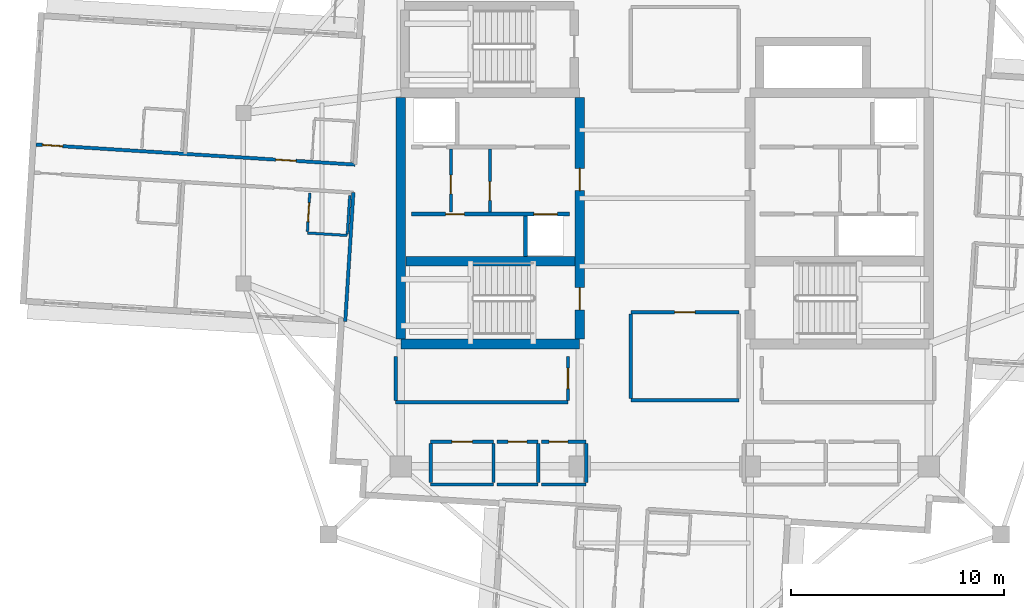
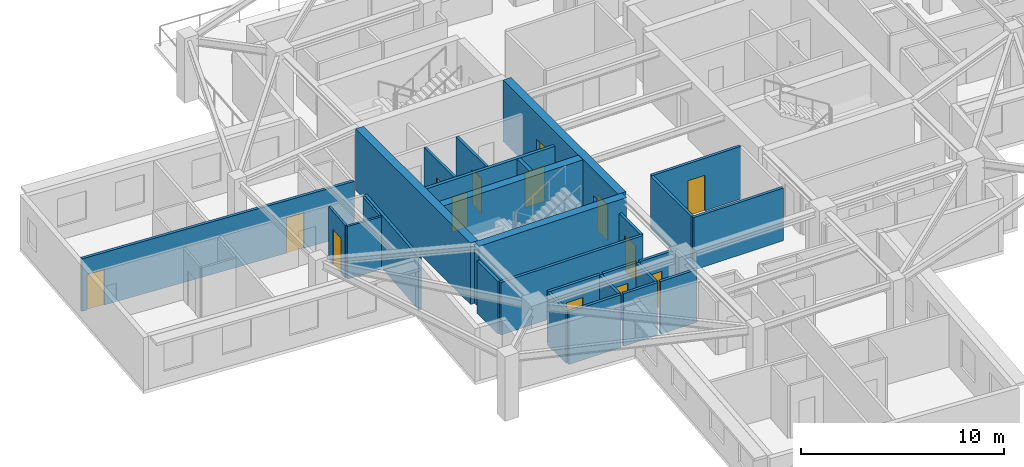
# One storey, part 4 of 12: 29 walls, 14 doors, 14 openings.
"""IFC4 building model written with IfcOpenShell, lengths in metres."""

from ifc_helpers import new_model, si_unit, direction, frame, frame_2d, origin, place, context, subcontext, project, spatial, rectangle, extrude, material, layer, layer_set, type_object, element, fill, save


model = new_model("IFC4")

# Units and contexts
model_context = context("Model", 3, precision=1e-05, world=origin(), true_north=direction((0.0, 1.0)))
body_context = subcontext(model_context, "Body", "Model", "MODEL_VIEW")
ifc_project = project(units=[si_unit("LENGTHUNIT", "METRE"), si_unit("AREAUNIT", "SQUARE_METRE"), si_unit("VOLUMEUNIT", "CUBIC_METRE"), si_unit("PLANEANGLEUNIT", "RADIAN"), si_unit("MASSUNIT", "GRAM", prefix="KILO")], contexts=[model_context])

# Site, building, storey
site_placement = place(None, origin())
site = spatial("IfcSite", under=ifc_project, at=site_placement, CompositionType="ELEMENT")
building_placement = place(site_placement, origin())
building = spatial("IfcBuilding", under=site, at=building_placement, Name="Qingluan Cross Belvedere", CompositionType="ELEMENT")
storey_placement = place(building_placement, frame((0.0, 0.0, 249.89990234375)))
storey = spatial("IfcBuildingStorey", under=building, at=storey_placement, Name="L62", CompositionType="ELEMENT", Elevation=249.89990234375)

# Walls
ifc_material_1 = material(Name="Concrete C50", Category="concrete")
ifc_layer_1 = layer(ifc_material_1, 0.449951171875, Name="CoreShearWall_450")
ifc_layer_set_1 = layer_set([ifc_layer_1], Name="Concrete C50")
wall_type_1 = type_object("IfcWallType", Name="CoreShearWall_450", PredefinedType="SHEAR", material=ifc_layer_set_1)
wall_1_placement = place(storey_placement, frame((-12.39990234375, -6.85009765625, 0.0), z_axis=(0.0, 0.0, 1.0), x_axis=(1.0, 0.0, 0.0)))
element("IfcWall", 1, at=wall_1_placement, inside=storey, type_object=wall_type_1, Name="Split core W shear wall L62-S", PredefinedType="SHEAR", context=body_context, shape_type="SweptSolid", body=[
    extrude(rectangle(XDim=8.39990234375, YDim=0.449951171875, at=frame_2d((4.199951171875, 0.0))), origin(), (0.0, 0.0, 1.0), 3.7001953125),
])
wall_2_placement = place(storey_placement, frame((-12.39990234375, -6.6201171875, 0.0), z_axis=(0.0, 0.0, 1.0), x_axis=(0.0, 1.0, 0.0)))
element("IfcWall", 2, at=wall_2_placement, inside=storey, type_object=wall_type_1, Name="Split core W shear wall L62-W", PredefinedType="SHEAR", context=body_context, shape_type="SweptSolid", body=[
    extrude(rectangle(XDim=11.340087890625, YDim=0.449951171875, at=frame_2d((5.669921875, 0.0))), origin(), (0.0, 0.0, 1.0), 3.7001953125),
])

# Wall, openings, doors
wall_3_placement = place(storey_placement, frame((-4.0, -6.6201171875, 0.0), z_axis=(0.0, 0.0, 1.0), x_axis=(0.0, 1.0, 0.0)))
wall_3 = element("IfcWall", 3, at=wall_3_placement, inside=storey, type_object=wall_type_1, Name="Split core W shear wall L62-E", PredefinedType="SHEAR", context=body_context, shape_type="SweptSolid", body=[
    extrude(rectangle(XDim=11.340087890625, YDim=0.449951171875, at=frame_2d((5.669921875, 0.0))), origin(), (0.0, 0.0, 1.0), 3.7001953125),
])
opening_1_placement = place(wall_3_placement, frame((1.3701171875, 0.0, 0.0)))
opening_1 = element("IfcOpeningElement", 4, at=opening_1_placement, cuts=wall_3, Name="Opening FD-B11", PredefinedType="OPENING", context=body_context, shape_type="SweptSolid", body=[
    extrude(rectangle(XDim=1.050048828125, YDim=2.14990234375, at=frame_2d((0.52490234375, 1.074951171875))), frame((0.0, 0.23486328125, 0.0), z_axis=(0.0, -1.0, 0.0), x_axis=(1.0, 0.0, 0.0)), (0.0, 0.0, 1.0), 0.469970703125),
])
opening_2_placement = place(wall_3_placement, frame((6.969970703125, 0.0, 0.0)))
opening_2 = element("IfcOpeningElement", 5, at=opening_2_placement, cuts=wall_3, Name="Opening FD-B11", PredefinedType="OPENING", context=body_context, shape_type="SweptSolid", body=[
    extrude(rectangle(XDim=1.050048828125, YDim=2.14990234375, at=frame_2d((0.52490234375, 1.074951171875))), frame((0.0, 0.23486328125, 0.0), z_axis=(0.0, -1.0, 0.0), x_axis=(1.0, 0.0, 0.0)), (0.0, 0.0, 1.0), 0.469970703125),
])
ifc_material_2 = material(Name="Steel Class B smoke-seal fire door", Category="steel")
door_type_1 = type_object("IfcDoorType", Name="StairLobbyFireDoor_FDB", OperationType="NOTDEFINED", PredefinedType="DOOR", material=ifc_material_2)
door_1_placement = place(opening_1_placement, origin())
door_1 = element("IfcDoor", 6, at=door_1_placement, inside=storey, type_object=door_type_1, Name="Smoke-proof stair ST1 fire door L62", OperationType="SINGLE_SWING_RIGHT", OverallHeight=2.14990234375, OverallWidth=1.050048828125, PredefinedType="DOOR", context=body_context, shape_type="SweptSolid", body=[
    extrude(rectangle(XDim=1.050048828125, YDim=2.14990234375, at=frame_2d((0.52490234375, 1.074951171875))), frame((0.0, 0.02490234375, 0.0), z_axis=(0.0, -1.0, 0.0), x_axis=(1.0, 0.0, 0.0)), (0.0, 0.0, 1.0), 0.050048828125),
])
fill(opening_1, door_1)
door_2_placement = place(opening_2_placement, origin())
door_2 = element("IfcDoor", 7, at=door_2_placement, inside=storey, type_object=door_type_1, Name="Firefighting lobby West fire door L62", OperationType="SINGLE_SWING_RIGHT", OverallHeight=2.14990234375, OverallWidth=1.050048828125, PredefinedType="DOOR", context=body_context, shape_type="SweptSolid", body=[
    extrude(rectangle(XDim=1.050048828125, YDim=2.14990234375, at=frame_2d((0.52490234375, 1.074951171875))), frame((0.0, 0.02490234375, 0.0), z_axis=(0.0, -1.0, 0.0), x_axis=(1.0, 0.0, 0.0)), (0.0, 0.0, 1.0), 0.050048828125),
])
fill(opening_2, door_2)

# Wall
wall_4_placement = place(storey_placement, frame((-12.169921875, -2.9599609375, 0.0), z_axis=(0.0, 0.0, 1.0), x_axis=(1.0, 0.0, 0.0)))
element("IfcWall", 8, at=wall_4_placement, inside=storey, type_object=wall_type_1, Name="Split core W shear wall L62-M", PredefinedType="SHEAR", context=body_context, shape_type="SweptSolid", body=[
    extrude(rectangle(XDim=7.93994140625, YDim=0.449951171875, at=frame_2d((3.969970703125, 0.0))), origin(), (0.0, 0.0, 1.0), 3.7001953125),
])

# Wall, opening, door
ifc_material_3 = material(Name="Gypsum plasterboard on steel stud acoustic partition", Category="steel")
ifc_layer_2 = layer(ifc_material_3, 0.159912109375, Name="CorridorPartition_160")
ifc_layer_set_2 = layer_set([ifc_layer_2], Name="Gypsum plasterboard on steel stud acoustic partition")
wall_type_2 = type_object("IfcWallType", Name="CorridorPartition_160", PredefinedType="PARTITIONING", material=ifc_layer_set_2)
wall_5_placement = place(storey_placement, frame((-10.050048828125, -0.652099609375, 0.0), z_axis=(0.0, 0.0, 1.0), x_axis=(0.0, 1.0, 0.0)))
wall_5 = element("IfcWall", 9, at=wall_5_placement, inside=storey, type_object=wall_type_2, Name="Partition L62:wv", PredefinedType="PARTITIONING", context=body_context, shape_type="SweptSolid", body=[
    extrude(rectangle(XDim=2.962158203125, YDim=0.139892578125, at=frame_2d((1.48095703125, 0.0))), origin(), (0.0, 0.0, 1.0), 3.170166015625),
])
opening_3_placement = place(wall_5_placement, frame((0.85009765625, 0.0, 0.0)))
opening_3 = element("IfcOpeningElement", 10, at=opening_3_placement, cuts=wall_5, Name="Opening FD-B10", PredefinedType="OPENING", context=body_context, shape_type="SweptSolid", body=[
    extrude(rectangle(XDim=0.8798828125, YDim=2.10009765625, at=frame_2d((0.43994140625, 1.050048828125))), frame((0.0, 0.079833984375, 0.0), z_axis=(0.0, -1.0, 0.0), x_axis=(1.0, 0.0, 0.0)), (0.0, 0.0, 1.0), 0.159912109375),
])
ifc_material_4 = material(Name="Steel Class B service fire door", Category="steel")
door_type_2 = type_object("IfcDoorType", Name="RiserServiceFireDoor_FDB", OperationType="NOTDEFINED", PredefinedType="DOOR", material=ifc_material_4)
door_3_placement = place(opening_3_placement, origin())
door_3 = element("IfcDoor", 11, at=door_3_placement, inside=storey, type_object=door_type_2, Name="Service closet inner door L62", OperationType="SINGLE_SWING_LEFT", OverallHeight=2.10009765625, OverallWidth=0.8798828125, PredefinedType="DOOR", context=body_context, shape_type="SweptSolid", body=[
    extrude(rectangle(XDim=0.8798828125, YDim=2.10009765625, at=frame_2d((0.43994140625, 1.050048828125))), frame((0.0, 0.02490234375, 0.0), z_axis=(0.0, -1.0, 0.0), x_axis=(1.0, 0.0, 0.0)), (0.0, 0.0, 1.0), 0.050048828125),
])
fill(opening_3, door_3)

# Wall
wall_6_placement = place(storey_placement, frame((-11.0, -13.449951171875, 0.0), z_axis=(0.0, 0.0, 1.0), x_axis=(1.0, 0.0, 0.0)))
element("IfcWall", 12, at=wall_6_placement, inside=storey, type_object=wall_type_2, Name="Partition L62:q_sw_occ:S", PredefinedType="PARTITIONING", context=body_context, shape_type="SweptSolid", body=[
    extrude(rectangle(XDim=2.949951171875, YDim=0.159912109375, at=frame_2d((1.47509765625, 0.0))), origin(), (0.0, 0.0, 1.0), 3.170166015625),
])

# Wall, opening, door
wall_7_placement = place(storey_placement, frame((-11.0, -11.449951171875, 0.0), z_axis=(0.0, 0.0, 1.0), x_axis=(1.0, 0.0, 0.0)))
wall_7 = element("IfcWall", 13, at=wall_7_placement, inside=storey, type_object=wall_type_2, Name="Partition L62:q_sw_occ:N", PredefinedType="PARTITIONING", context=body_context, shape_type="SweptSolid", body=[
    extrude(rectangle(XDim=2.949951171875, YDim=0.159912109375, at=frame_2d((1.47509765625, 0.0))), origin(), (0.0, 0.0, 1.0), 3.170166015625),
])
opening_4_placement = place(wall_7_placement, frame((0.9951171875, 0.0, 0.0)))
opening_4 = element("IfcOpeningElement", 14, at=opening_4_placement, cuts=wall_7, Name="Opening GD-10", PredefinedType="OPENING", context=body_context, shape_type="SweptSolid", body=[
    extrude(rectangle(XDim=0.9599609375, YDim=2.14990234375, at=frame_2d((0.47998046875, 1.074951171875))), frame((0.0, 0.08984375, 0.0), z_axis=(0.0, -1.0, 0.0), x_axis=(1.0, 0.0, 0.0)), (0.0, 0.0, 1.0), 0.179931640625),
])
ifc_material_5 = material(Name="Timber oak fire-rated acoustic guestroom door", Category="wood")
door_type_3 = type_object("IfcDoorType", Name="GuestEntryDoor_FD60", OperationType="NOTDEFINED", PredefinedType="DOOR", material=ifc_material_5)
door_4_placement = place(opening_4_placement, origin())
door_4 = element("IfcDoor", 15, at=door_4_placement, inside=storey, type_object=door_type_3, Name="Advisory boardroom L62 door", OperationType="SINGLE_SWING_RIGHT", OverallHeight=2.14990234375, OverallWidth=0.9599609375, PredefinedType="DOOR", context=body_context, shape_type="SweptSolid", body=[
    extrude(rectangle(XDim=0.9599609375, YDim=2.14990234375, at=frame_2d((0.47998046875, 1.074951171875))), frame((0.0, 0.02490234375, 0.0), z_axis=(0.0, -1.0, 0.0), x_axis=(1.0, 0.0, 0.0)), (0.0, 0.0, 1.0), 0.050048828125),
])
fill(opening_4, door_4)

# Walls
for number, where, z_axis, x_axis, name in (
    (16, (-11.0, -13.364990234375, 0.0), (0.0, 0.0, 1.0), (0.0, 1.0, 0.0), "Partition L62:q_sw_occ:W"),
    (17, (-8.050048828125, -13.364990234375, 0.0), (0.0, 0.0, 1.0), (0.0, 1.0, 0.0), "Partition L62:q_sw_occ:E"),
):
    element("IfcWall", number, at=place(storey_placement, frame(where, z_axis=z_axis, x_axis=x_axis)), inside=storey, type_object=wall_type_2, Name=name, PredefinedType="PARTITIONING", context=body_context, shape_type="SweptSolid", body=[
        extrude(rectangle(XDim=1.830078125, YDim=0.159912109375, at=frame_2d((0.9150390625, 0.0))), origin(), (0.0, 0.0, 1.0), 3.170166015625),
    ])
wall_8_placement = place(storey_placement, frame((-7.889892578125, -13.449951171875, 0.0), z_axis=(0.0, 0.0, 1.0), x_axis=(1.0, 0.0, 0.0)))
element("IfcWall", 18, at=wall_8_placement, inside=storey, type_object=wall_type_2, Name="Partition L62:hk_linen:S", PredefinedType="PARTITIONING", context=body_context, shape_type="SweptSolid", body=[
    extrude(rectangle(XDim=1.93994140625, YDim=0.159912109375, at=frame_2d((0.969970703125, 0.0))), origin(), (0.0, 0.0, 1.0), 3.170166015625),
])

# Wall, opening, door
wall_9_placement = place(storey_placement, frame((-7.889892578125, -11.449951171875, 0.0), z_axis=(0.0, 0.0, 1.0), x_axis=(1.0, 0.0, 0.0)))
wall_9 = element("IfcWall", 19, at=wall_9_placement, inside=storey, type_object=wall_type_2, Name="Partition L62:hk_linen:N", PredefinedType="PARTITIONING", context=body_context, shape_type="SweptSolid", body=[
    extrude(rectangle(XDim=1.93994140625, YDim=0.159912109375, at=frame_2d((0.969970703125, 0.0))), origin(), (0.0, 0.0, 1.0), 3.170166015625),
])
opening_5_placement = place(wall_9_placement, frame((0.530029296875, 0.0, 0.0)))
opening_5 = element("IfcOpeningElement", 20, at=opening_5_placement, cuts=wall_9, Name="Opening FD-B10", PredefinedType="OPENING", context=body_context, shape_type="SweptSolid", body=[
    extrude(rectangle(XDim=0.8798828125, YDim=2.10009765625, at=frame_2d((0.43994140625, 1.050048828125))), frame((0.0, 0.08984375, 0.0), z_axis=(0.0, -1.0, 0.0), x_axis=(1.0, 0.0, 0.0)), (0.0, 0.0, 1.0), 0.179931640625),
])
door_5_placement = place(opening_5_placement, origin())
door_5 = element("IfcDoor", 21, at=door_5_placement, inside=storey, type_object=door_type_2, Name="Housekeeping and linen store L62 door", OperationType="SINGLE_SWING_LEFT", OverallHeight=2.10009765625, OverallWidth=0.8798828125, PredefinedType="DOOR", context=body_context, shape_type="SweptSolid", body=[
    extrude(rectangle(XDim=0.8798828125, YDim=2.10009765625, at=frame_2d((0.43994140625, 1.050048828125))), frame((0.0, 0.02490234375, 0.0), z_axis=(0.0, -1.0, 0.0), x_axis=(1.0, 0.0, 0.0)), (0.0, 0.0, 1.0), 0.050048828125),
])
fill(opening_5, door_5)

# Walls
wall_10_placement = place(storey_placement, frame((-5.949951171875, -13.364990234375, 0.0), z_axis=(0.0, 0.0, 1.0), x_axis=(0.0, 1.0, 0.0)))
element("IfcWall", 22, at=wall_10_placement, inside=storey, type_object=wall_type_2, Name="Partition L62:hk_linen:E", PredefinedType="PARTITIONING", context=body_context, shape_type="SweptSolid", body=[
    extrude(rectangle(XDim=1.830078125, YDim=0.159912109375, at=frame_2d((0.9150390625, 0.0))), origin(), (0.0, 0.0, 1.0), 3.170166015625),
])
wall_11_placement = place(storey_placement, frame((-5.7900390625, -13.449951171875, 0.0), z_axis=(0.0, 0.0, 1.0), x_axis=(1.0, 0.0, 0.0)))
element("IfcWall", 23, at=wall_11_placement, inside=storey, type_object=wall_type_2, Name="Partition L62:floor_acc_wc:S", PredefinedType="PARTITIONING", context=body_context, shape_type="SweptSolid", body=[
    extrude(rectangle(XDim=2.090087890625, YDim=0.159912109375, at=frame_2d((1.044921875, 0.0))), origin(), (0.0, 0.0, 1.0), 3.170166015625),
])

# Wall, opening, door
wall_12_placement = place(storey_placement, frame((-5.7900390625, -11.449951171875, 0.0), z_axis=(0.0, 0.0, 1.0), x_axis=(1.0, 0.0, 0.0)))
wall_12 = element("IfcWall", 24, at=wall_12_placement, inside=storey, type_object=wall_type_2, Name="Partition L62:floor_acc_wc:N", PredefinedType="PARTITIONING", context=body_context, shape_type="SweptSolid", body=[
    extrude(rectangle(XDim=2.090087890625, YDim=0.159912109375, at=frame_2d((1.044921875, 0.0))), origin(), (0.0, 0.0, 1.0), 3.170166015625),
])
opening_6_placement = place(wall_12_placement, frame((0.35009765625, 0.0, 0.0)))
opening_6 = element("IfcOpeningElement", 25, at=opening_6_placement, cuts=wall_12, Name="Opening BD-08", PredefinedType="OPENING", context=body_context, shape_type="SweptSolid", body=[
    extrude(rectangle(XDim=0.8798828125, YDim=2.14990234375, at=frame_2d((0.43994140625, 1.074951171875))), frame((0.0, 0.08984375, 0.0), z_axis=(0.0, -1.0, 0.0), x_axis=(1.0, 0.0, 0.0)), (0.0, 0.0, 1.0), 0.179931640625),
])
ifc_material_6 = material(Name="Moisture-sealed timber accessible WC door", Category="wood")
door_type_4 = type_object("IfcDoorType", Name="AccessibleWCDoor_880", OperationType="NOTDEFINED", PredefinedType="DOOR", material=ifc_material_6)
door_6_placement = place(opening_6_placement, origin())
door_6 = element("IfcDoor", 26, at=door_6_placement, inside=storey, type_object=door_type_4, Name="Accessible guest washroom L62 door", OperationType="SINGLE_SWING_RIGHT", OverallHeight=2.14990234375, OverallWidth=0.8798828125, PredefinedType="DOOR", context=body_context, shape_type="SweptSolid", body=[
    extrude(rectangle(XDim=0.8798828125, YDim=2.14990234375, at=frame_2d((0.43994140625, 1.074951171875))), frame((0.0, 0.02490234375, 0.0), z_axis=(0.0, -1.0, 0.0), x_axis=(1.0, 0.0, 0.0)), (0.0, 0.0, 1.0), 0.050048828125),
])
fill(opening_6, door_6)

# Walls
wall_13_placement = place(storey_placement, frame((-3.699951171875, -13.364990234375, 0.0), z_axis=(0.0, 0.0, 1.0), x_axis=(0.0, 1.0, 0.0)))
element("IfcWall", 27, at=wall_13_placement, inside=storey, type_object=wall_type_2, Name="Partition L62:floor_acc_wc:E", PredefinedType="PARTITIONING", context=body_context, shape_type="SweptSolid", body=[
    extrude(rectangle(XDim=1.830078125, YDim=0.159912109375, at=frame_2d((0.9150390625, 0.0))), origin(), (0.0, 0.0, 1.0), 3.170166015625),
])
wall_14_placement = place(storey_placement, frame((-1.60009765625, -9.5, 0.0), z_axis=(0.0, 0.0, 1.0), x_axis=(1.0, 0.0, 0.0)))
element("IfcWall", 28, at=wall_14_placement, inside=storey, type_object=wall_type_2, Name="Partition L62:sky_south_alcove:S", PredefinedType="PARTITIONING", context=body_context, shape_type="SweptSolid", body=[
    extrude(rectangle(XDim=5.080078125, YDim=0.159912109375, at=frame_2d((2.5400390625, 0.0))), origin(), (0.0, 0.0, 1.0), 3.170166015625),
])

# Wall, opening, door
wall_15_placement = place(storey_placement, frame((-1.60009765625, -5.35009765625, 0.0), z_axis=(0.0, 0.0, 1.0), x_axis=(1.0, 0.0, 0.0)))
wall_15 = element("IfcWall", 29, at=wall_15_placement, inside=storey, type_object=wall_type_2, Name="Partition L62:sky_south_alcove:N", PredefinedType="PARTITIONING", context=body_context, shape_type="SweptSolid", body=[
    extrude(rectangle(XDim=5.080078125, YDim=0.159912109375, at=frame_2d((2.5400390625, 0.0))), origin(), (0.0, 0.0, 1.0), 3.170166015625),
])
opening_7_placement = place(wall_15_placement, frame((2.06005859375, 0.0, 0.0)))
opening_7 = element("IfcOpeningElement", 30, at=opening_7_placement, cuts=wall_15, Name="Opening GD-10", PredefinedType="OPENING", context=body_context, shape_type="SweptSolid", body=[
    extrude(rectangle(XDim=0.9599609375, YDim=2.14990234375, at=frame_2d((0.47998046875, 1.074951171875))), frame((0.0, 0.08984375, 0.0), z_axis=(0.0, -1.0, 0.0), x_axis=(1.0, 0.0, 0.0)), (0.0, 0.0, 1.0), 0.179931640625),
])
door_7_placement = place(opening_7_placement, origin())
door_7 = element("IfcDoor", 31, at=door_7_placement, inside=storey, type_object=door_type_3, Name="South horizon reading alcove L62 door", OperationType="SINGLE_SWING_RIGHT", OverallHeight=2.14990234375, OverallWidth=0.9599609375, PredefinedType="DOOR", context=body_context, shape_type="SweptSolid", body=[
    extrude(rectangle(XDim=0.9599609375, YDim=2.14990234375, at=frame_2d((0.47998046875, 1.074951171875))), frame((0.0, 0.02490234375, 0.0), z_axis=(0.0, -1.0, 0.0), x_axis=(1.0, 0.0, 0.0)), (0.0, 0.0, 1.0), 0.050048828125),
])
fill(opening_7, door_7)

# Walls
wall_16_placement = place(storey_placement, frame((-1.60009765625, -9.4150390625, 0.0), z_axis=(0.0, 0.0, 1.0), x_axis=(0.0, 1.0, 0.0)))
element("IfcWall", 32, at=wall_16_placement, inside=storey, type_object=wall_type_2, Name="Partition L62:sky_south_alcove:W", PredefinedType="PARTITIONING", context=body_context, shape_type="SweptSolid", body=[
    extrude(rectangle(XDim=3.97998046875, YDim=0.159912109375, at=frame_2d((1.989990234375, 0.0))), origin(), (0.0, 0.0, 1.0), 3.170166015625),
])
wall_17_placement = place(storey_placement, frame((-12.64990234375, -9.580078125, 0.0), z_axis=(0.0, 0.0, 1.0), x_axis=(1.0, 0.0, 0.0)))
element("IfcWall", 33, at=wall_17_placement, inside=storey, type_object=wall_type_2, Name="Partition L62:rec_st4_w:S", PredefinedType="PARTITIONING", context=body_context, shape_type="SweptSolid", body=[
    extrude(rectangle(XDim=8.099853515625, YDim=0.159912109375, at=frame_2d((4.0498046875, 0.0))), origin(), (0.0, 0.0, 1.0), 3.170166015625),
])
wall_18_placement = place(storey_placement, frame((-12.64990234375, -9.4951171875, 0.0), z_axis=(0.0, 0.0, 1.0), x_axis=(0.0, 1.0, 0.0)))
element("IfcWall", 34, at=wall_18_placement, inside=storey, type_object=wall_type_2, Name="Partition L62:rec_st4_w:W", PredefinedType="PARTITIONING", context=body_context, shape_type="SweptSolid", body=[
    extrude(rectangle(XDim=2.06005859375, YDim=0.159912109375, at=frame_2d((1.030029296875, 0.0))), origin(), (0.0, 0.0, 1.0), 3.170166015625),
])

# Wall, opening, door
wall_19_placement = place(storey_placement, frame((-4.550048828125, -9.4951171875, 0.0), z_axis=(0.0, 0.0, 1.0), x_axis=(0.0, 1.0, 0.0)))
wall_19 = element("IfcWall", 35, at=wall_19_placement, inside=storey, type_object=wall_type_2, Name="Partition L62:rec_st4_w:E", PredefinedType="PARTITIONING", context=body_context, shape_type="SweptSolid", body=[
    extrude(rectangle(XDim=2.06005859375, YDim=0.159912109375, at=frame_2d((1.030029296875, 0.0))), origin(), (0.0, 0.0, 1.0), 3.170166015625),
])
opening_8_placement = place(wall_19_placement, frame((0.550048828125, 0.0, 0.0)))
opening_8 = element("IfcOpeningElement", 36, at=opening_8_placement, cuts=wall_19, Name="Opening GD-10", PredefinedType="OPENING", context=body_context, shape_type="SweptSolid", body=[
    extrude(rectangle(XDim=0.9599609375, YDim=2.14990234375, at=frame_2d((0.47998046875, 1.074951171875))), frame((0.0, 0.08984375, 0.0), z_axis=(0.0, -1.0, 0.0), x_axis=(1.0, 0.0, 0.0)), (0.0, 0.0, 1.0), 0.179931640625),
])
door_8_placement = place(opening_8_placement, origin())
door_8 = element("IfcDoor", 37, at=door_8_placement, inside=storey, type_object=door_type_3, Name="Southwest club reading room L62 door", OperationType="SINGLE_SWING_RIGHT", OverallHeight=2.14990234375, OverallWidth=0.9599609375, PredefinedType="DOOR", context=body_context, shape_type="SweptSolid", body=[
    extrude(rectangle(XDim=0.9599609375, YDim=2.14990234375, at=frame_2d((0.47998046875, 1.074951171875))), frame((0.0, 0.02490234375, 0.0), z_axis=(0.0, -1.0, 0.0), x_axis=(1.0, 0.0, 0.0)), (0.0, 0.0, 1.0), 0.050048828125),
])
fill(opening_8, door_8)

# Wall, openings, doors
wall_20_placement = place(storey_placement, frame((-14.5498046875, 1.57666015625, 0.0), z_axis=(0.0, 0.0, 1.0), x_axis=(-0.998026610596, 0.062792392385, 0.0)))
wall_20 = element("IfcWall", 38, at=wall_20_placement, inside=storey, type_object=wall_type_2, Name="Partition L62:W:c0", PredefinedType="PARTITIONING", context=body_context, shape_type="SweptSolid", body=[
    extrude(rectangle(XDim=15.01171875, YDim=0.159912109375, at=frame_2d((7.505859375, 0.0))), origin(), (0.0, 0.0, 1.0), 3.170166015625),
])
opening_9_placement = place(wall_20_placement, frame((2.780029296875, 0.0, 0.0)))
opening_9 = element("IfcOpeningElement", 39, at=opening_9_placement, cuts=wall_20, Name="Opening GD-10", PredefinedType="OPENING", context=body_context, shape_type="SweptSolid", body=[
    extrude(rectangle(XDim=0.9599609375, YDim=2.14990234375, at=frame_2d((0.47998046875, 1.074951171875))), frame((0.0, 0.08984375, 0.0), z_axis=(0.0, -1.0, 0.0), x_axis=(1.0, 0.0, 0.0)), (0.0, 0.0, 1.0), 0.179931640625),
])
opening_10_placement = place(wall_20_placement, frame((13.760009765625, 0.0, 0.0)))
opening_10 = element("IfcOpeningElement", 40, at=opening_10_placement, cuts=wall_20, Name="Opening GD-10", PredefinedType="OPENING", context=body_context, shape_type="SweptSolid", body=[
    extrude(rectangle(XDim=0.9599609375, YDim=2.14990234375, at=frame_2d((0.47998046875, 1.074951171875))), frame((0.0, 0.08984375, 0.0), z_axis=(0.0, -1.0, 0.0), x_axis=(1.0, 0.0, 0.0)), (0.0, 0.0, 1.0), 0.179931640625),
])
door_9_placement = place(opening_9_placement, origin())
door_9 = element("IfcDoor", 41, at=door_9_placement, inside=storey, type_object=door_type_3, Name="Guest entry fire door 6205", OperationType="SINGLE_SWING_LEFT", OverallHeight=2.14990234375, OverallWidth=0.9599609375, PredefinedType="DOOR", context=body_context, shape_type="SweptSolid", body=[
    extrude(rectangle(XDim=0.9599609375, YDim=2.14990234375, at=frame_2d((0.47998046875, 1.074951171875))), frame((0.0, 0.02490234375, 0.0), z_axis=(0.0, -1.0, 0.0), x_axis=(1.0, 0.0, 0.0)), (0.0, 0.0, 1.0), 0.050048828125),
])
fill(opening_9, door_9)
door_10_placement = place(opening_10_placement, origin())
door_10 = element("IfcDoor", 42, at=door_10_placement, inside=storey, type_object=door_type_3, Name="Guest entry fire door 6206", OperationType="SINGLE_SWING_LEFT", OverallHeight=2.14990234375, OverallWidth=0.9599609375, PredefinedType="DOOR", context=body_context, shape_type="SweptSolid", body=[
    extrude(rectangle(XDim=0.9599609375, YDim=2.14990234375, at=frame_2d((0.47998046875, 1.074951171875))), frame((0.0, 0.02490234375, 0.0), z_axis=(0.0, -1.0, 0.0), x_axis=(1.0, 0.0, 0.0)), (0.0, 0.0, 1.0), 0.050048828125),
])
fill(opening_10, door_10)

# Wall
wall_21_placement = place(storey_placement, frame((-14.632568359375, 0.25927734375, 0.0), z_axis=(0.0, 0.0, 1.0), x_axis=(-0.062807170557, -0.998025680695, 0.0)))
element("IfcWall", 43, at=wall_21_placement, inside=storey, type_object=wall_type_2, Name="Partition L62:W:s1", PredefinedType="PARTITIONING", context=body_context, shape_type="SweptSolid", body=[
    extrude(rectangle(XDim=6.06005859375, YDim=0.159912109375, at=frame_2d((3.030029296875, 0.0))), origin(), (0.0, 0.0, 1.0), 3.170166015625),
])

# Wall, opening, door
ifc_material_7 = material(Name="Moisture-resistant gypsum board lining")
ifc_layer_3 = layer(ifc_material_7, 0.1201171875, Name="EnsuiteWetPartition_120")
ifc_layer_set_3 = layer_set([ifc_layer_3], Name="Moisture-resistant gypsum board lining")
wall_type_3 = type_object("IfcWallType", Name="EnsuiteWetPartition_120", PredefinedType="PARTITIONING", material=ifc_layer_set_3)
wall_22_placement = place(storey_placement, frame((-16.79150390625, -1.568603515625, 0.0), z_axis=(0.0, 0.0, 1.0), x_axis=(0.062645529196, 0.998035839873, 0.0)))
wall_22 = element("IfcWall", 44, at=wall_22_placement, inside=storey, type_object=wall_type_3, Name="Partition L62:W:bs1_0", PredefinedType="PARTITIONING", context=body_context, shape_type="SweptSolid", body=[
    extrude(rectangle(XDim=1.820068359375, YDim=0.1201171875, at=frame_2d((0.91015625, 0.0))), origin(), (0.0, 0.0, 1.0), 3.170166015625),
])
opening_11_placement = place(wall_22_placement, frame((0.469970703125, 0.0, 0.0)))
opening_11 = element("IfcOpeningElement", 45, at=opening_11_placement, cuts=wall_22, Name="Opening BD-09", PredefinedType="OPENING", context=body_context, shape_type="SweptSolid", body=[
    extrude(rectangle(XDim=0.8798828125, YDim=2.10009765625, at=frame_2d((0.43994140625, 1.050048828125))), frame((0.0, 0.070068359375, 0.0), z_axis=(0.0, -1.0, 0.0), x_axis=(1.0, 0.0, 0.0)), (0.0, 0.0, 1.0), 0.14013671875),
])
ifc_material_8 = material(Name="Moisture-sealed timber en-suite door", Category="wood")
door_type_5 = type_object("IfcDoorType", Name="BathroomDoor_880", OperationType="NOTDEFINED", PredefinedType="DOOR", material=ifc_material_8)
door_11_placement = place(opening_11_placement, origin())
door_11 = element("IfcDoor", 46, at=door_11_placement, inside=storey, type_object=door_type_5, Name="Bathroom door 6207", OperationType="SINGLE_SWING_RIGHT", OverallHeight=2.10009765625, OverallWidth=0.8798828125, PredefinedType="DOOR", context=body_context, shape_type="SweptSolid", body=[
    extrude(rectangle(XDim=0.8798828125, YDim=2.10009765625, at=frame_2d((0.43994140625, 1.050048828125))), frame((0.0, 0.02490234375, 0.0), z_axis=(0.0, -1.0, 0.0), x_axis=(1.0, 0.0, 0.0)), (0.0, 0.0, 1.0), 0.050048828125),
])
fill(opening_11, door_11)

# Walls
wall_23_placement = place(storey_placement, frame((-14.915283203125, -1.686767578125, 0.0), z_axis=(0.0, 0.0, 1.0), x_axis=(0.062779145668, 0.998027443946, 0.0)))
element("IfcWall", 47, at=wall_23_placement, inside=storey, type_object=wall_type_3, Name="Partition L62:W:bw1_0", PredefinedType="PARTITIONING", context=body_context, shape_type="SweptSolid", body=[
    extrude(rectangle(XDim=1.820068359375, YDim=0.1201171875, at=frame_2d((0.91015625, 0.0))), origin(), (0.0, 0.0, 1.0), 3.170166015625),
])
wall_24_placement = place(storey_placement, frame((-14.91943359375, -1.751708984375, 0.0), z_axis=(0.0, 0.0, 1.0), x_axis=(-0.998022650819, 0.062855297722, 0.0)))
element("IfcWall", 48, at=wall_24_placement, inside=storey, type_object=wall_type_3, Name="Partition L62:W:bc1_0", PredefinedType="PARTITIONING", context=body_context, shape_type="SweptSolid", body=[
    extrude(rectangle(XDim=1.8798828125, YDim=0.1201171875, at=frame_2d((0.93994140625, 0.0))), origin(), (0.0, 0.0, 1.0), 3.170166015625),
])

# Wall, openings, doors
ifc_material_9 = material(Name="Concrete C40", Category="concrete")
ifc_layer_4 = layer(ifc_material_9, 0.219970703125, Name="ShaftEnclosureWall_250")
ifc_layer_set_4 = layer_set([ifc_layer_4], Name="Concrete C40")
wall_type_4 = type_object("IfcWallType", Name="ShaftEnclosureWall_250", PredefinedType="SOLIDWALL", material=ifc_layer_set_4)
wall_25_placement = place(storey_placement, frame((-11.89990234375, -0.75, 0.0), z_axis=(0.0, 0.0, 1.0), x_axis=(1.0, 0.0, 0.0)))
wall_25 = element("IfcWall", 49, at=wall_25_placement, inside=storey, type_object=wall_type_4, Name="Core-W mid hoistway wall L62", PredefinedType="SOLIDWALL", context=body_context, shape_type="SweptSolid", body=[
    extrude(rectangle(XDim=7.419921875, YDim=0.179931640625, at=frame_2d((3.7099609375, 0.0))), origin(), (0.0, 0.0, 1.0), 3.170166015625),
])
opening_12_placement = place(wall_25_placement, frame((5.75, 0.0, 0.0)))
opening_12 = element("IfcOpeningElement", 50, at=opening_12_placement, cuts=wall_25, Name="Opening LD-11", PredefinedType="OPENING", context=body_context, shape_type="SweptSolid", body=[
    extrude(rectangle(XDim=1.10009765625, YDim=2.14990234375, at=frame_2d((0.550048828125, 1.074951171875))), frame((0.0, 0.099853515625, 0.0), z_axis=(0.0, -1.0, 0.0), x_axis=(1.0, 0.0, 0.0)), (0.0, 0.0, 1.0), 0.199951171875),
])
opening_13_placement = place(wall_25_placement, frame((1.60009765625, 0.0, 0.0)))
opening_13 = element("IfcOpeningElement", 51, at=opening_13_placement, cuts=wall_25, Name="Opening FD-B10", PredefinedType="OPENING", context=body_context, shape_type="SweptSolid", body=[
    extrude(rectangle(XDim=0.8798828125, YDim=2.10009765625, at=frame_2d((0.43994140625, 1.050048828125))), frame((0.0, 0.099853515625, 0.0), z_axis=(0.0, -1.0, 0.0), x_axis=(1.0, 0.0, 0.0)), (0.0, 0.0, 1.0), 0.199951171875),
])
ifc_material_10 = material(Name="Brushed stainless steel centre-opening lift landing door", Category="steel")
door_type_6 = type_object("IfcDoorType", Name="LiftLandingSlidingDoor_1100", OperationType="DOUBLE_DOOR_SLIDING", PredefinedType="DOOR", material=ifc_material_10)
door_12_placement = place(opening_12_placement, origin())
door_12 = element("IfcDoor", 52, at=door_12_placement, inside=storey, type_object=door_type_6, Name="Lift landing sliding door LP8 L62", OperationType="DOUBLE_DOOR_SLIDING", OverallHeight=2.14990234375, OverallWidth=1.10009765625, PredefinedType="DOOR", context=body_context, shape_type="SweptSolid", body=[
    extrude(rectangle(XDim=1.10009765625, YDim=2.14990234375, at=frame_2d((0.550048828125, 1.074951171875))), frame((0.0, 0.02490234375, 0.0), z_axis=(0.0, -1.0, 0.0), x_axis=(1.0, 0.0, 0.0)), (0.0, 0.0, 1.0), 0.050048828125),
])
fill(opening_12, door_12)
door_13_placement = place(opening_13_placement, origin())
door_13 = element("IfcDoor", 53, at=door_13_placement, inside=storey, type_object=door_type_2, Name="Upper-zone electrical room door L62", OperationType="SINGLE_SWING_LEFT", OverallHeight=2.10009765625, OverallWidth=0.8798828125, PredefinedType="DOOR", context=body_context, shape_type="SweptSolid", body=[
    extrude(rectangle(XDim=0.8798828125, YDim=2.10009765625, at=frame_2d((0.43994140625, 1.050048828125))), frame((0.0, 0.02490234375, 0.0), z_axis=(0.0, -1.0, 0.0), x_axis=(1.0, 0.0, 0.0)), (0.0, 0.0, 1.0), 0.050048828125),
])
fill(opening_13, door_13)

# Wall
wall_26_placement = place(storey_placement, frame((-6.5400390625, -2.72998046875, 0.0), z_axis=(0.0, 0.0, 1.0), x_axis=(0.0, 1.0, 0.0)))
element("IfcWall", 54, at=wall_26_placement, inside=storey, type_object=wall_type_4, Name="Hoistway enclosure divider LP8W L62", PredefinedType="SOLIDWALL", context=body_context, shape_type="SweptSolid", body=[
    extrude(rectangle(XDim=1.889892578125, YDim=0.179931640625, at=frame_2d((0.94482421875, 0.0))), origin(), (0.0, 0.0, 1.0), 3.170166015625),
])

# Wall, opening, door
wall_27_placement = place(storey_placement, frame((-8.219970703125, -0.64990234375, 0.0), z_axis=(0.0, 0.0, 1.0), x_axis=(0.0, 1.0, 0.0)))
wall_27 = element("IfcWall", 55, at=wall_27_placement, inside=storey, type_object=wall_type_4, Name="Core-W service corridor wall L62", PredefinedType="SOLIDWALL", context=body_context, shape_type="SweptSolid", body=[
    extrude(rectangle(XDim=2.9599609375, YDim=0.139892578125, at=frame_2d((1.47998046875, 0.0))), origin(), (0.0, 0.0, 1.0), 3.170166015625),
])
opening_14_placement = place(wall_27_placement, frame((0.550048828125, 0.0, 0.0)))
opening_14 = element("IfcOpeningElement", 56, at=opening_14_placement, cuts=wall_27, Name="Opening FD-B10", PredefinedType="OPENING", context=body_context, shape_type="SweptSolid", body=[
    extrude(rectangle(XDim=0.8798828125, YDim=2.10009765625, at=frame_2d((0.43994140625, 1.050048828125))), frame((0.0, 0.079833984375, 0.0), z_axis=(0.0, -1.0, 0.0), x_axis=(1.0, 0.0, 0.0)), (0.0, 0.0, 1.0), 0.159912109375),
])
door_14_placement = place(opening_14_placement, origin())
door_14 = element("IfcDoor", 57, at=door_14_placement, inside=storey, type_object=door_type_2, Name="Core-W service room door L62", OperationType="SINGLE_SWING_LEFT", OverallHeight=2.10009765625, OverallWidth=0.8798828125, PredefinedType="DOOR", context=body_context, shape_type="SweptSolid", body=[
    extrude(rectangle(XDim=0.8798828125, YDim=2.10009765625, at=frame_2d((0.43994140625, 1.050048828125))), frame((0.0, 0.02490234375, 0.0), z_axis=(0.0, -1.0, 0.0), x_axis=(1.0, 0.0, 0.0)), (0.0, 0.0, 1.0), 0.050048828125),
])
fill(opening_14, door_14)

save(model, "model.ifc")
